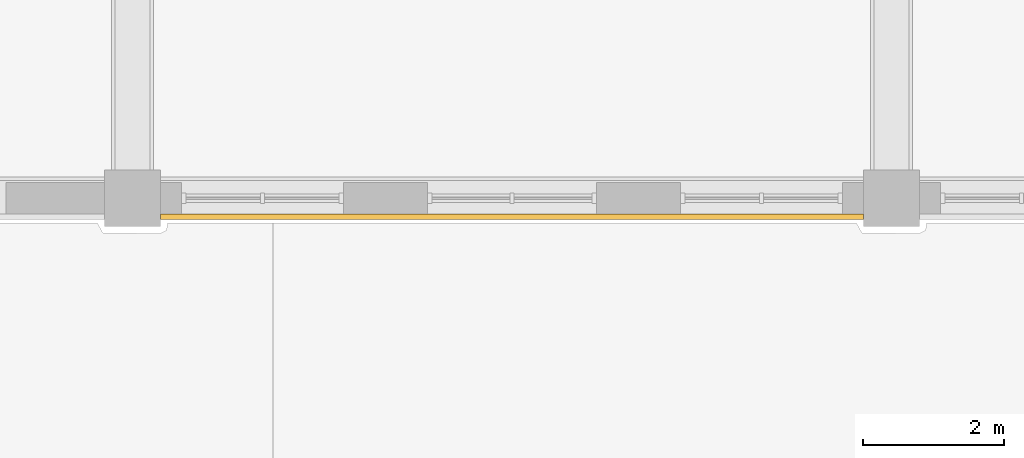
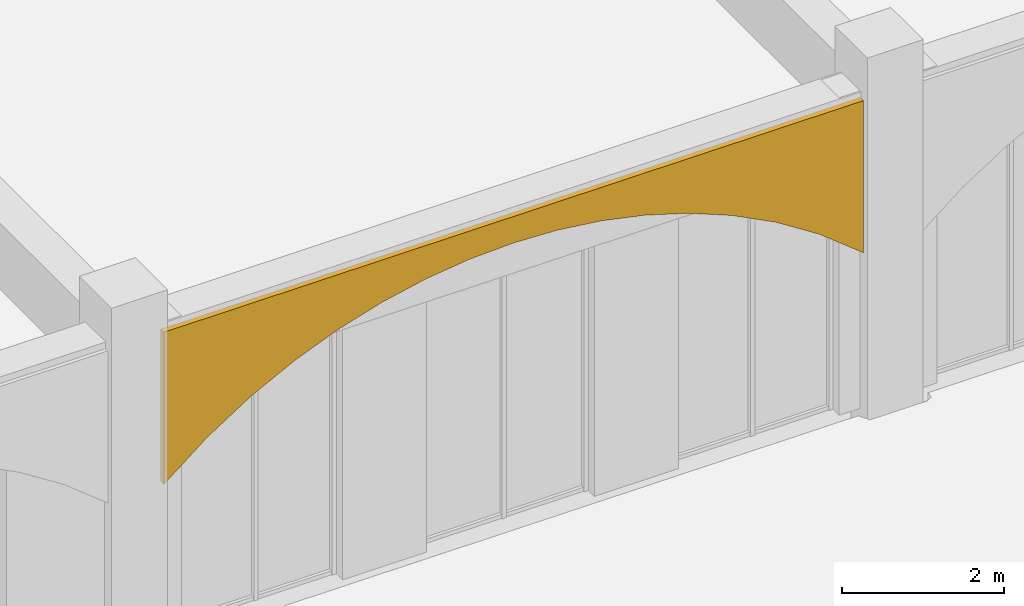
# One storey, part 77 of 101: 1 covering.
"""IFC4 building model written with IfcOpenShell, lengths in metres."""

from ifc_helpers import new_model, si_unit, direction, frame, origin, place, context, subcontext, project, spatial, polyline, outline, extrude, material, layer, layer_set, type_object, element, save


model = new_model("IFC4")

# Units and contexts
model_context = context("Model", 3, precision=1e-05, world=origin(), true_north=direction((0.0, 1.0)))
body_context = subcontext(model_context, "Body", "Model", "MODEL_VIEW")
ifc_project = project(units=[si_unit("LENGTHUNIT", "METRE"), si_unit("AREAUNIT", "SQUARE_METRE"), si_unit("VOLUMEUNIT", "CUBIC_METRE"), si_unit("PLANEANGLEUNIT", "RADIAN"), si_unit("MASSUNIT", "GRAM", prefix="KILO")], contexts=[model_context])

# Site, building, storey
site_placement = place(None, origin())
site = spatial("IfcSite", under=ifc_project, at=site_placement, CompositionType="ELEMENT")
building_placement = place(site_placement, origin())
building = spatial("IfcBuilding", under=site, at=building_placement, Name="Magnolia Steps Interchange", CompositionType="ELEMENT")
storey_placement = place(building_placement, frame((0.0, 0.0, -5.39990234375)))
storey = spatial("IfcBuildingStorey", under=building, at=storey_placement, Name="B1", CompositionType="ELEMENT", Elevation=-5.39990234375)

# Covering
ifc_material = material(Name="Lime render")
ifc_layer = layer(ifc_material, 0.080078125)
ifc_layer_set = layer_set([ifc_layer], Name="Lime render arch infill")
covering_type = type_object("IfcCoveringType", Name="Lime render arch infill", PredefinedType="CLADDING", material=ifc_layer_set)
covering_placement = place(storey_placement, frame((64.39990234375, 9.77490234375, 2.39990234375), z_axis=(0.0, 1.0, 0.0), x_axis=(0.0, 0.0, 1.0)))
element("IfcCovering", 1, at=covering_placement, inside=storey, type_object=covering_type, Name="Arch spandrel south edge 3", PredefinedType="CLADDING", context=body_context, shape_type="SweptSolid", body=[
    extrude(outline(polyline([(0.0, 0.0), (2.300048828, 0.0), (2.300048828, 10.0), (0.0, 10.0), (0.498291016, 9.375), (0.899658203, 8.75), (1.220703125, 8.125), (1.472900391, 7.5), (1.662841797, 6.875), (1.795410156, 6.25), (1.874023438, 5.625), (1.899902344, 5.0), (1.874023438, 4.375), (1.795410156, 3.75), (1.662841797, 3.125), (1.472900391, 2.5), (1.220703125, 1.875), (0.899658203, 1.25), (0.498291016, 0.625), (0.0, 0.0)])), origin(), (0.0, 0.0, -1.0), 0.080078125),
])

save(model, "model.ifc")
